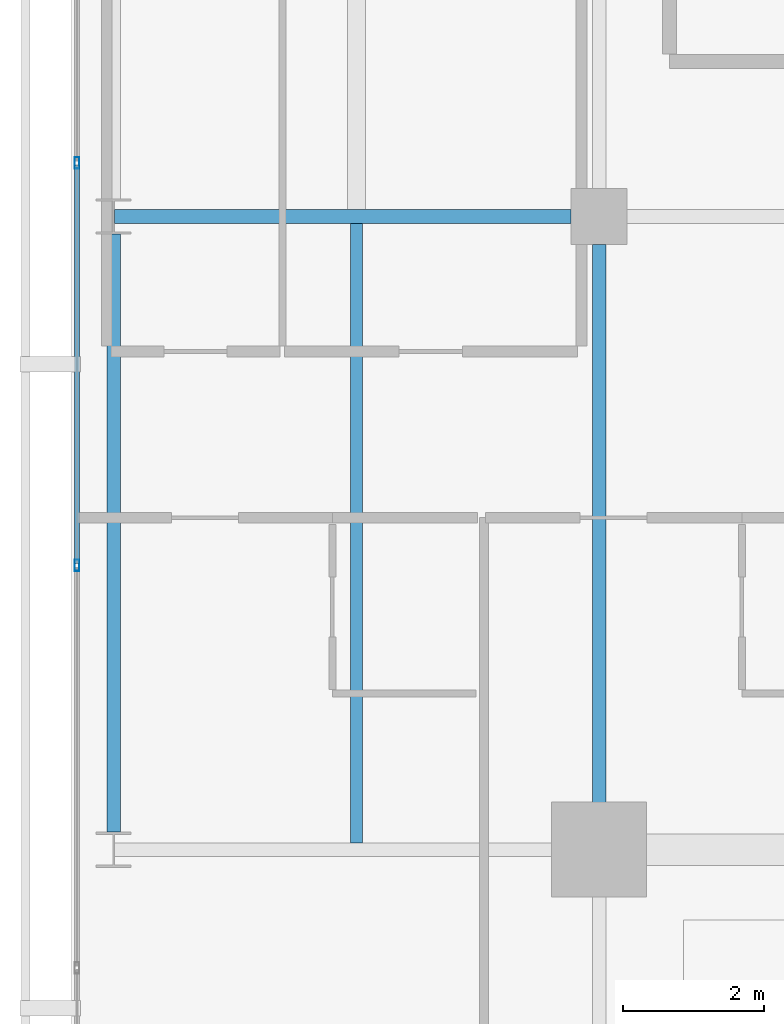
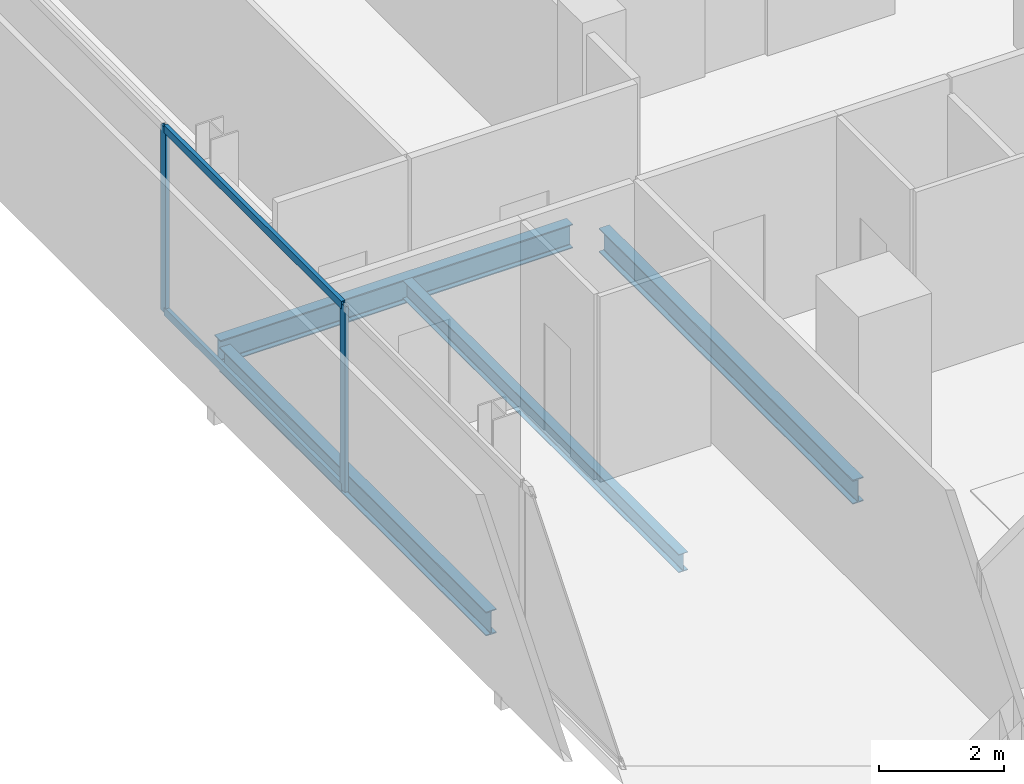
# One storey, part 7 of 24: 4 beams, 4 members, 1 element without a shape of its own.
"""IFC4 building model written with IfcOpenShell, lengths in metres."""

from ifc_helpers import new_model, si_unit, direction, frame, origin, origin_2d, place, context, subcontext, project, spatial, hollow_rectangle, i_section, extrude, material, layer, layer_set, material_profile, profile_set, type_object, element, aggregate, save


model = new_model("IFC4")

# Units and contexts
model_context = context("Model", 3, precision=1e-05, world=origin(), true_north=direction((0.0, 1.0)))
body_context = subcontext(model_context, "Body", "Model", "MODEL_VIEW")
ifc_project = project(units=[si_unit("LENGTHUNIT", "METRE"), si_unit("AREAUNIT", "SQUARE_METRE"), si_unit("VOLUMEUNIT", "CUBIC_METRE"), si_unit("PLANEANGLEUNIT", "RADIAN"), si_unit("MASSUNIT", "GRAM", prefix="KILO")], contexts=[model_context])

# Site, building, storey
site_placement = place(None, origin())
site = spatial("IfcSite", under=ifc_project, at=site_placement, CompositionType="ELEMENT")
building_placement = place(site_placement, origin())
building = spatial("IfcBuilding", under=site, at=building_placement, Name="Maruvema Waterfront Hotel and Observation Tower", CompositionType="ELEMENT")
storey_placement = place(building_placement, frame((0.0, 0.0, 329.699951171875)))
storey = spatial("IfcBuildingStorey", under=building, at=storey_placement, Name="L81", CompositionType="ELEMENT", Elevation=329.699951171875)

# Curtain wall, members
ifc_material_1 = material(Name="Anodised bronze aluminium and solar-control low-E IGU", Category="aluminium")
ifc_layer = layer(ifc_material_1, 0.159912109375, Name="Zone 4 Sky Residence Inner Curtain Wall System CW-05")
ifc_layer_set = layer_set([ifc_layer], Name="Anodised bronze aluminium and solar-control low-E IGU")
curtain_wall_type = type_object("IfcCurtainWallType", Name="Zone 4 Sky Residence Inner Curtain Wall System CW-05", PredefinedType="USERDEFINED", material=ifc_layer_set)
curtain_wall_placement = place(storey_placement, origin())
curtain_wall = element("IfcCurtainWall", 1, at=curtain_wall_placement, inside=storey, type_object=curtain_wall_type, Name="L81 Curtain Wall CW-L81-W", ObjectType="UNITISED CURTAIN WALL", PredefinedType="USERDEFINED")
ifc_material_2 = material(Name="Anodised architectural bronze aluminium", Category="aluminium")
ifc_material_profile_1 = material_profile(ifc_material_2, hollow_rectangle(XDim=0.070068359375, YDim=0.14990234375, WallThickness=0.00390625, at=origin_2d()), Name="ALU-T70x150")
ifc_profile_set_1 = profile_set([ifc_material_profile_1], Name="Anodised architectural bronze aluminium")
member_type_1 = type_object("IfcMemberType", Name="Curtain Wall Horizontal Transom ALU-T70x150", PredefinedType="USERDEFINED", material=ifc_profile_set_1)
member_1_placement = place(storey_placement, frame((17.780029296875, 36.72998046875, 0.030029296875), z_axis=(0.0, -1.0, 0.0), x_axis=(1.0, 0.0, 0.0)))
member_1 = element("IfcMember", 2, at=member_1_placement, type_object=member_type_1, Name="CW-05 transom 3.1", ObjectType="TRANSOM", PredefinedType="USERDEFINED", context=body_context, shape_type="SweptSolid", body=[
    extrude(hollow_rectangle(XDim=0.070068359375, YDim=0.14990234375, WallThickness=0.00390625, at=origin_2d()), origin(), (0.0, 0.0, 1.0), 5.659912109375),
])
member_2_placement = place(storey_placement, frame((17.780029296875, 36.72998046875, 3.580078125), z_axis=(0.0, -1.0, 0.0), x_axis=(1.0, 0.0, 0.0)))
member_2 = element("IfcMember", 3, at=member_2_placement, type_object=member_type_1, Name="CW-05 transom 3.2", ObjectType="TRANSOM", PredefinedType="USERDEFINED", context=body_context, shape_type="SweptSolid", body=[
    extrude(hollow_rectangle(XDim=0.070068359375, YDim=0.14990234375, WallThickness=0.00390625, at=origin_2d()), origin(), (0.0, 0.0, 1.0), 5.659912109375),
])
ifc_material_3 = material(Name="Anodised architectural bronze aluminium", Category="aluminium")
ifc_material_profile_2 = material_profile(ifc_material_3, hollow_rectangle(XDim=0.06494140625, YDim=0.1650390625, WallThickness=0.00390625, at=origin_2d()), Name="ALU-M65x165")
ifc_profile_set_2 = profile_set([ifc_material_profile_2], Name="Anodised architectural bronze aluminium")
member_type_2 = type_object("IfcMemberType", Name="Curtain Wall Primary Mullion ALU-M65x165", PredefinedType="MULLION", material=ifc_profile_set_2)
member_3_placement = place(storey_placement, frame((17.780029296875, 36.760009765625, 0.0), z_axis=(0.0, 0.0, 1.0), x_axis=(1.0, 0.0, 0.0)))
member_3 = element("IfcMember", 4, at=member_3_placement, type_object=member_type_2, Name="CW-05 mullion 3", PredefinedType="MULLION", context=body_context, shape_type="SweptSolid", body=[
    extrude(hollow_rectangle(XDim=0.06494140625, YDim=0.1650390625, WallThickness=0.00390625, at=origin_2d()), origin(), (0.0, 0.0, 1.0), 3.610107421875),
])
member_4_placement = place(storey_placement, frame((17.780029296875, 31.0400390625, 0.0), z_axis=(0.0, 0.0, 1.0), x_axis=(1.0, 0.0, 0.0)))
member_4 = element("IfcMember", 5, at=member_4_placement, type_object=member_type_2, Name="CW-05 mullion 4", PredefinedType="MULLION", context=body_context, shape_type="SweptSolid", body=[
    extrude(hollow_rectangle(XDim=0.06494140625, YDim=0.1650390625, WallThickness=0.00390625, at=origin_2d()), origin(), (0.0, 0.0, 1.0), 3.610107421875),
])
aggregate(curtain_wall, [member_3, member_4, member_1, member_2])

# Beams
ifc_material_4 = material(Name="Steel ASTM A572 Grade 50", Category="steel")
ifc_material_profile_3 = material_profile(ifc_material_4, i_section(OverallWidth=0.194091796875, OverallDepth=0.468994140625, WebThickness=0.0126953125, FlangeThickness=0.0205078125, FilletRadius=0.014892578125, at=origin_2d()), Name="W460x106.0")
ifc_profile_set_3 = profile_set([ifc_material_profile_3], Name="Steel ASTM A572 Grade 50")
beam_type_1 = type_object("IfcBeamType", Name="Primary Floor Girder W460x106.0", PredefinedType="BEAM", material=ifc_profile_set_3)
beam_1_placement = place(storey_placement, frame((18.31103515625, 36.0, -0.474365234375), z_axis=(1.0, 0.0, 0.0), x_axis=(0.0, 1.0, 0.0)))
element("IfcBeam", 6, at=beam_1_placement, inside=storey, type_object=beam_type_1, Name="L81 Floor Girder EW-10", PredefinedType="BEAM", context=body_context, shape_type="SweptSolid", body=[
    extrude(i_section(OverallWidth=0.194091796875, OverallDepth=0.468994140625, WebThickness=0.0126953125, FlangeThickness=0.0205078125, FilletRadius=0.014892578125, at=origin_2d()), origin(), (0.0, 0.0, 1.0), 6.489013671875),
])
beam_2_placement = place(storey_placement, frame((18.300048828125, 27.25, -0.474365234375), z_axis=(0.0, 1.0, 0.0), x_axis=(-1.0, 0.0, 0.0)))
element("IfcBeam", 7, at=beam_2_placement, inside=storey, type_object=beam_type_1, Name="L81 Floor Girder NS-01", PredefinedType="BEAM", context=body_context, shape_type="SweptSolid", body=[
    extrude(i_section(OverallWidth=0.194091796875, OverallDepth=0.468994140625, WebThickness=0.0126953125, FlangeThickness=0.0205078125, FilletRadius=0.014892578125, at=origin_2d()), origin(), (0.0, 0.0, 1.0), 8.5),
])
beam_3_placement = place(storey_placement, frame((25.199951171875, 27.5, -0.474365234375), z_axis=(0.0, 1.0, 0.0), x_axis=(-1.0, 0.0, 0.0)))
element("IfcBeam", 8, at=beam_3_placement, inside=storey, type_object=beam_type_1, Name="L81 Floor Girder NS-05", PredefinedType="BEAM", context=body_context, shape_type="SweptSolid", body=[
    extrude(i_section(OverallWidth=0.194091796875, OverallDepth=0.468994140625, WebThickness=0.0126953125, FlangeThickness=0.0205078125, FilletRadius=0.014892578125, at=origin_2d()), origin(), (0.0, 0.0, 1.0), 8.10009765625),
])
ifc_material_5 = material(Name="Steel ASTM A572 Grade 50", Category="steel")
ifc_material_profile_4 = material_profile(ifc_material_5, i_section(OverallWidth=0.1708984375, OverallDepth=0.35498046875, WebThickness=0.007080078125, FlangeThickness=0.01171875, FilletRadius=0.014892578125, at=origin_2d()), Name="W360x51.0")
ifc_profile_set_4 = profile_set([ifc_material_profile_4], Name="Steel ASTM A572 Grade 50")
beam_type_2 = type_object("IfcBeamType", Name="Secondary Floor Joist W360x51.0", PredefinedType="JOIST", material=ifc_profile_set_4)
beam_4_placement = place(storey_placement, frame((21.75, 27.096923828125, -0.41748046875), z_axis=(0.0, 1.0, 0.0), x_axis=(-1.0, 0.0, 0.0)))
element("IfcBeam", 9, at=beam_4_placement, inside=storey, type_object=beam_type_2, Name="L81 Secondary Floor Joist JS-01", PredefinedType="JOIST", context=body_context, shape_type="SweptSolid", body=[
    extrude(i_section(OverallWidth=0.1708984375, OverallDepth=0.35498046875, WebThickness=0.007080078125, FlangeThickness=0.01171875, FilletRadius=0.014892578125, at=origin_2d()), origin(), (0.0, 0.0, 1.0), 8.80615234375),
])

save(model, "model.ifc")
